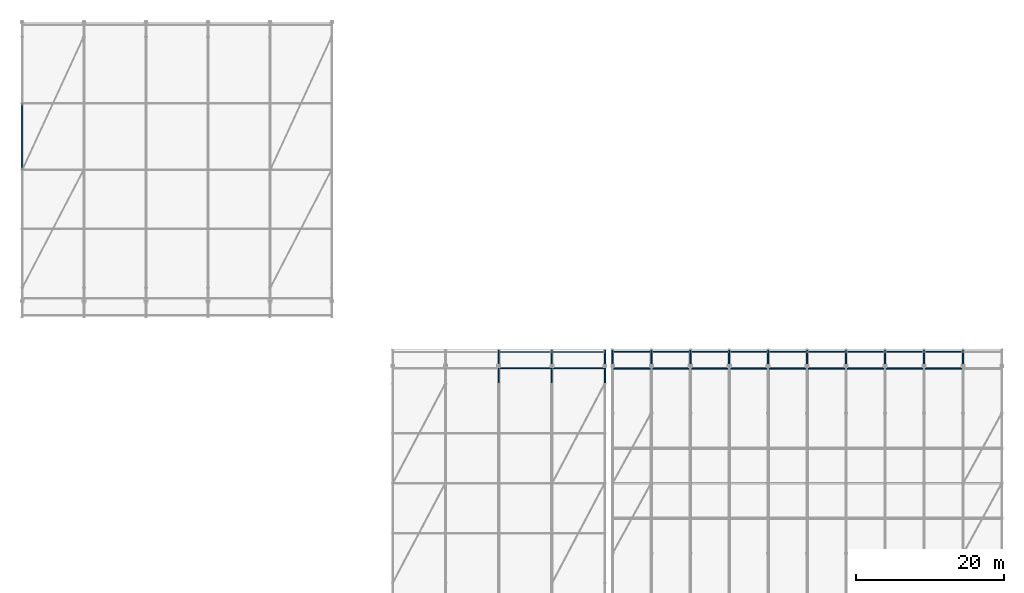
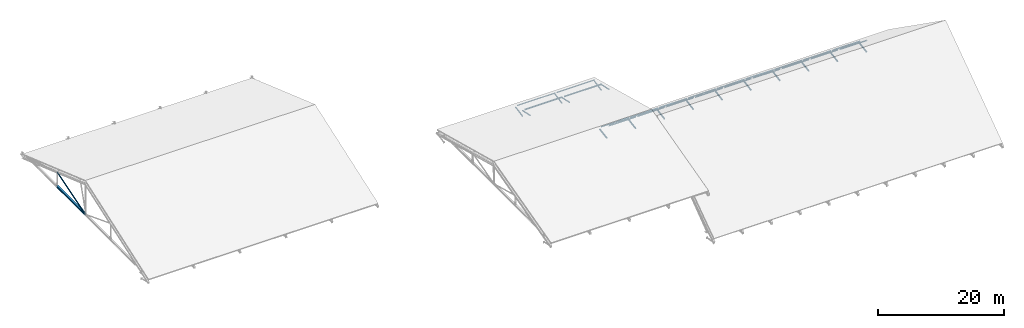
# One storey, part 14 of 57: 40 members.
"""IFC4 building model written with IfcOpenShell, lengths in metres."""

from ifc_helpers import new_model, si_unit, direction, frame, origin, origin_2d, place, context, subcontext, project, spatial, hollow_rectangle, hollow_circle, i_section, extrude, material, material_profile, profile_set, type_object, element, save


model = new_model("IFC4")

# Units and contexts
model_context = context("Model", 3, precision=1e-05, world=origin(), true_north=direction((0.0, 1.0)))
body_context = subcontext(model_context, "Body", "Model", "MODEL_VIEW")
ifc_project = project(units=[si_unit("LENGTHUNIT", "METRE"), si_unit("AREAUNIT", "SQUARE_METRE"), si_unit("VOLUMEUNIT", "CUBIC_METRE"), si_unit("PLANEANGLEUNIT", "RADIAN"), si_unit("MASSUNIT", "GRAM", prefix="KILO")], contexts=[model_context])

# Site, building, storey
site_placement = place(None, origin())
site = spatial("IfcSite", under=ifc_project, at=site_placement, CompositionType="ELEMENT")
building_placement = place(site_placement, origin())
building = spatial("IfcBuilding", under=site, at=building_placement, Name="Kelarvand Opera House", CompositionType="ELEMENT")
storey_placement = place(building_placement, frame((0.0, 0.0, 33.60009765625)))
storey = spatial("IfcBuildingStorey", under=building, at=storey_placement, Name="Roof", CompositionType="ELEMENT", Elevation=33.60009765625)

# Members
ifc_material = material(Name="Steel S355", Category="steel")
ifc_material_profile_1 = material_profile(ifc_material, hollow_circle(Radius=0.109619140625, WallThickness=0.010009765625, at=origin_2d()), Name="CHS 219.1x10.0", Category="steel")
ifc_profile_set_1 = profile_set([ifc_material_profile_1], Name="Steel S355")
member_type_1 = type_object("IfcMemberType", Name="Structural Brace CHS 219.1x10.0 BR-CHS219", PredefinedType="BRACE", material=ifc_profile_set_1)
member_1_placement = place(storey_placement, frame((73.60009765625, 78.39990234375, -1.10009765625), z_axis=(0.0, 0.981866297583, 0.189574717909), x_axis=(-1.0, 0.0, 0.0)))
element("IfcMember", 1, at=member_1_placement, inside=storey, type_object=member_type_1, Name="V2 Roof Truss 3 Eave Knee Brace N", PredefinedType="BRACE", context=body_context, shape_type="SweptSolid", body=[
    extrude(hollow_circle(Radius=0.109619140625, WallThickness=0.010009765625, at=origin_2d()), origin(), (0.0, 0.0, 1.0), 2.24072265625),
])
member_2_placement = place(storey_placement, frame((73.60009765625, 78.39990234375, 0.0), z_axis=(0.0, -0.977319710639, 0.21176917433), x_axis=(1.0, 0.0, 0.0)))
element("IfcMember", 2, at=member_2_placement, inside=storey, type_object=member_type_1, Name="V2 Roof Truss 3 Support Tie N", PredefinedType="BRACE", context=body_context, shape_type="SweptSolid", body=[
    extrude(hollow_circle(Radius=0.109619140625, WallThickness=0.010009765625, at=origin_2d()), origin(), (0.0, 0.0, 1.0), 2.45556640625),
])
member_3_placement = place(storey_placement, frame((80.800048828125, 78.39990234375, -1.10009765625), z_axis=(0.0, 0.981866297583, 0.189574717909), x_axis=(-1.0, 0.0, 0.0)))
element("IfcMember", 3, at=member_3_placement, inside=storey, type_object=member_type_1, Name="V2 Roof Truss 4 Eave Knee Brace N", PredefinedType="BRACE", context=body_context, shape_type="SweptSolid", body=[
    extrude(hollow_circle(Radius=0.109619140625, WallThickness=0.010009765625, at=origin_2d()), origin(), (0.0, 0.0, 1.0), 2.24072265625),
])
member_4_placement = place(storey_placement, frame((80.800048828125, 78.39990234375, 0.0), z_axis=(0.0, -0.977319710639, 0.21176917433), x_axis=(1.0, 0.0, 0.0)))
element("IfcMember", 4, at=member_4_placement, inside=storey, type_object=member_type_1, Name="V2 Roof Truss 4 Support Tie N", PredefinedType="BRACE", context=body_context, shape_type="SweptSolid", body=[
    extrude(hollow_circle(Radius=0.109619140625, WallThickness=0.010009765625, at=origin_2d()), origin(), (0.0, 0.0, 1.0), 2.45556640625),
])
member_5_placement = place(storey_placement, frame((88.0, 78.39990234375, -1.10009765625), z_axis=(0.0, 0.981866297583, 0.189574717909), x_axis=(-1.0, 0.0, 0.0)))
element("IfcMember", 5, at=member_5_placement, inside=storey, type_object=member_type_1, Name="V2 Roof Truss 5 Eave Knee Brace N", PredefinedType="BRACE", context=body_context, shape_type="SweptSolid", body=[
    extrude(hollow_circle(Radius=0.109619140625, WallThickness=0.010009765625, at=origin_2d()), origin(), (0.0, 0.0, 1.0), 2.24072265625),
])
member_6_placement = place(storey_placement, frame((88.0, 78.39990234375, 0.0), z_axis=(0.0, -0.977319710639, 0.21176917433), x_axis=(1.0, 0.0, 0.0)))
element("IfcMember", 6, at=member_6_placement, inside=storey, type_object=member_type_1, Name="V2 Roof Truss 5 Support Tie N", PredefinedType="BRACE", context=body_context, shape_type="SweptSolid", body=[
    extrude(hollow_circle(Radius=0.109619140625, WallThickness=0.010009765625, at=origin_2d()), origin(), (0.0, 0.0, 1.0), 2.45556640625),
])
member_7_placement = place(storey_placement, frame((9.0, 105.0, -13.580078125), z_axis=(0.0, 0.957023749403, 0.290009556874), x_axis=(-1.0, 0.0, 0.0)))
element("IfcMember", 7, at=member_7_placement, inside=storey, type_object=member_type_1, Name="V3 Roof Truss 1 Web Diagonal 3", PredefinedType="BRACE", context=body_context, shape_type="SweptSolid", body=[
    extrude(hollow_circle(Radius=0.109619140625, WallThickness=0.010009765625, at=origin_2d()), origin(), (0.0, 0.0, 1.0), 9.404052734375),
])
ifc_material_profile_2 = material_profile(ifc_material, hollow_circle(Radius=0.136474609375, WallThickness=0.012451171875, at=origin_2d()), Name="CHS 273.0x12.5", Category="steel")
ifc_profile_set_2 = profile_set([ifc_material_profile_2], Name="Steel S355")
member_type_2 = type_object("IfcMemberType", Name="Structural Brace CHS 273.0x12.5 BR-CHS273", PredefinedType="BRACE", material=ifc_profile_set_2)
for number, where, z_axis, x_axis, name in (
    (8, (89.0, 78.39990234375, -10.7001953125), (0.0, 0.986305042144, 0.164931391313), (-1.0, 0.0, 0.0), "V1 Roof Truss 1 Eave Knee Brace N"),
    (9, (94.280029296875, 78.39990234375, -10.7001953125), (0.0, 0.986305042144, 0.164931391313), (-1.0, 0.0, 0.0), "V1 Roof Truss 2 Eave Knee Brace N"),
    (10, (99.56005859375, 78.39990234375, -10.7001953125), (0.0, 0.986305042144, 0.164931391313), (-1.0, 0.0, 0.0), "V1 Roof Truss 3 Eave Knee Brace N"),
    (11, (104.840087890625, 78.39990234375, -10.7001953125), (0.0, 0.986305042144, 0.164931391313), (-1.0, 0.0, 0.0), "V1 Roof Truss 4 Eave Knee Brace N"),
    (12, (110.1201171875, 78.39990234375, -10.7001953125), (0.0, 0.986305042144, 0.164931391313), (-1.0, 0.0, 0.0), "V1 Roof Truss 5 Eave Knee Brace N"),
    (13, (115.39990234375, 78.39990234375, -10.7001953125), (0.0, 0.986305042144, 0.164931391313), (-1.0, 0.0, 0.0), "V1 Roof Truss 6 Eave Knee Brace N"),
    (14, (120.679931640625, 78.39990234375, -10.7001953125), (0.0, 0.986305042144, 0.164931391313), (-1.0, 0.0, 0.0), "V1 Roof Truss 7 Eave Knee Brace N"),
    (15, (125.9599609375, 78.39990234375, -10.7001953125), (0.0, 0.986305042144, 0.164931391313), (-1.0, 0.0, 0.0), "V1 Roof Truss 8 Eave Knee Brace N"),
    (16, (131.239990234375, 78.39990234375, -10.7001953125), (0.0, 0.986305042144, 0.164931391313), (-1.0, 0.0, 0.0), "V1 Roof Truss 9 Eave Knee Brace N"),
    (17, (136.52001953125, 78.39990234375, -10.7001953125), (0.0, 0.986305042144, 0.164931391313), (-1.0, 0.0, 0.0), "V1 Roof Truss 10 Eave Knee Brace N"),
):
    element("IfcMember", number, at=place(storey_placement, frame(where, z_axis=z_axis, x_axis=x_axis)), inside=storey, type_object=member_type_2, Name=name, PredefinedType="BRACE", context=body_context, shape_type="SweptSolid", body=[
        extrude(hollow_circle(Radius=0.136474609375, WallThickness=0.012451171875, at=origin_2d()), origin(), (0.0, 0.0, 1.0), 2.230712890625),
    ])
ifc_material_profile_3 = material_profile(ifc_material, i_section(OverallWidth=0.300048828125, OverallDepth=0.360107421875, WebThickness=0.012451171875, FlangeThickness=0.0224609375, at=origin_2d()), Name="HEB 360", Category="steel")
ifc_profile_set_3 = profile_set([ifc_material_profile_3], Name="Steel S355")
member_type_3 = type_object("IfcMemberType", Name="Structural Chord HEB 360 CH-HEB360", PredefinedType="CHORD", material=ifc_profile_set_3)
member_8_placement = place(storey_placement, frame((9.0, 105.0, -13.580078125), z_axis=(0.0, 1.0, 0.0), x_axis=(-1.0, 0.0, 0.0)))
element("IfcMember", 18, at=member_8_placement, inside=storey, type_object=member_type_3, Name="V3 Roof Truss 1 Bottom Chord 3", PredefinedType="CHORD", context=body_context, shape_type="SweptSolid", body=[
    extrude(i_section(OverallWidth=0.300048828125, OverallDepth=0.360107421875, WebThickness=0.012451171875, FlangeThickness=0.0224609375, at=origin_2d()), origin(), (0.0, 0.0, 1.0), 9.0),
])
ifc_material_profile_4 = material_profile(ifc_material, i_section(OverallWidth=0.135009765625, OverallDepth=0.27001953125, WebThickness=0.006591796875, FlangeThickness=0.01025390625, at=origin_2d()), Name="IPE 270", Category="steel")
ifc_profile_set_4 = profile_set([ifc_material_profile_4], Name="Steel S355")
member_type_4 = type_object("IfcMemberType", Name="Structural Purlin IPE 270 PR-IPE270", PredefinedType="PURLIN", material=ifc_profile_set_4)
member_9_placement = place(storey_placement, frame((73.739990234375, 78.050048828125, 0.339111328125), z_axis=(1.0, 0.0, 0.0), x_axis=(0.0, 0.966600102017, 0.256289373133)))
element("IfcMember", 19, at=member_9_placement, inside=storey, type_object=member_type_4, Name="V2 Roof Purlin 3.6", PredefinedType="PURLIN", context=body_context, shape_type="SweptSolid", body=[
    extrude(i_section(OverallWidth=0.135009765625, OverallDepth=0.27001953125, WebThickness=0.006591796875, FlangeThickness=0.01025390625, at=origin_2d()), origin(), (0.0, 0.0, 1.0), 6.919921875),
])
member_10_placement = place(storey_placement, frame((80.93994140625, 78.050048828125, 0.339111328125), z_axis=(1.0, 0.0, 0.0), x_axis=(0.0, 0.966600102017, 0.256289373133)))
element("IfcMember", 20, at=member_10_placement, inside=storey, type_object=member_type_4, Name="V2 Roof Purlin 4.6", PredefinedType="PURLIN", context=body_context, shape_type="SweptSolid", body=[
    extrude(i_section(OverallWidth=0.135009765625, OverallDepth=0.27001953125, WebThickness=0.006591796875, FlangeThickness=0.01025390625, at=origin_2d()), origin(), (0.0, 0.0, 1.0), 6.920166015625),
])
ifc_material_profile_5 = material_profile(ifc_material, i_section(OverallWidth=0.14990234375, OverallDepth=0.300048828125, WebThickness=0.007080078125, FlangeThickness=0.0107421875, at=origin_2d()), Name="IPE 300", Category="steel")
ifc_profile_set_5 = profile_set([ifc_material_profile_5], Name="Steel S355")
member_type_5 = type_object("IfcMemberType", Name="Structural Purlin IPE 300 PR-IPE300", PredefinedType="PURLIN", material=ifc_profile_set_5)
for number, where, z_axis, x_axis, name in (
    (21, (89.139892578125, 78.050048828125, -8.18603515625), (1.0, 0.0, 0.0), (0.0, 0.816440043737, 0.577430216549), "V1 Roof Purlin 1.6"),
    (22, (94.419921875, 78.050048828125, -8.18603515625), (1.0, 0.0, 0.0), (0.0, 0.816440043737, 0.577430216549), "V1 Roof Purlin 2.6"),
    (23, (99.699951171875, 78.050048828125, -8.18603515625), (1.0, 0.0, 0.0), (0.0, 0.816440043737, 0.577430216549), "V1 Roof Purlin 3.6"),
    (24, (104.97998046875, 78.050048828125, -8.18603515625), (1.0, 0.0, 0.0), (0.0, 0.816440043737, 0.577430216549), "V1 Roof Purlin 4.6"),
    (25, (110.260009765625, 78.050048828125, -8.18603515625), (1.0, 0.0, 0.0), (0.0, 0.816440043737, 0.577430216549), "V1 Roof Purlin 5.6"),
    (26, (115.5400390625, 78.050048828125, -8.18603515625), (1.0, 0.0, 0.0), (0.0, 0.816440043737, 0.577430216549), "V1 Roof Purlin 6.6"),
    (27, (120.820068359375, 78.050048828125, -8.18603515625), (1.0, 0.0, 0.0), (0.0, 0.816440043737, 0.577430216549), "V1 Roof Purlin 7.6"),
    (28, (126.10009765625, 78.050048828125, -8.18603515625), (1.0, 0.0, 0.0), (0.0, 0.816440043737, 0.577430216549), "V1 Roof Purlin 8.6"),
    (29, (131.3798828125, 78.050048828125, -8.18603515625), (1.0, 0.0, 0.0), (0.0, 0.816440043737, 0.577430216549), "V1 Roof Purlin 9.6"),
):
    element("IfcMember", number, at=place(storey_placement, frame(where, z_axis=z_axis, x_axis=x_axis)), inside=storey, type_object=member_type_5, Name=name, PredefinedType="PURLIN", context=body_context, shape_type="SweptSolid", body=[
        extrude(i_section(OverallWidth=0.14990234375, OverallDepth=0.300048828125, WebThickness=0.007080078125, FlangeThickness=0.0107421875, at=origin_2d()), origin(), (0.0, 0.0, 1.0), 5.0),
    ])
ifc_material_profile_6 = material_profile(ifc_material, hollow_rectangle(XDim=0.10009765625, YDim=0.199951171875, WallThickness=0.008056640625, at=origin_2d()), Name="RHS 200x100x8.0", Category="steel")
ifc_profile_set_6 = profile_set([ifc_material_profile_6], Name="Steel S355")
member_type_6 = type_object("IfcMemberType", Name="Structural Purlin RHS 200x100x8.0 PR-RHS200E", PredefinedType="PURLIN", material=ifc_profile_set_6)
for number, where, z_axis, x_axis, name in (
    (30, (89.139892578125, 80.300048828125, -9.721923828125), (1.0, 0.0, 0.0), (0.0, 0.816440043737, 0.577430216549), "V1 Roof Purlin 1.7"),
    (31, (94.419921875, 80.300048828125, -9.721923828125), (1.0, 0.0, 0.0), (0.0, 0.816440043737, 0.577430216549), "V1 Roof Purlin 2.7"),
    (32, (99.699951171875, 80.300048828125, -9.721923828125), (1.0, 0.0, 0.0), (0.0, 0.816440043737, 0.577430216549), "V1 Roof Purlin 3.7"),
    (33, (104.97998046875, 80.300048828125, -9.721923828125), (1.0, 0.0, 0.0), (0.0, 0.816440043737, 0.577430216549), "V1 Roof Purlin 4.7"),
    (34, (110.260009765625, 80.300048828125, -9.721923828125), (1.0, 0.0, 0.0), (0.0, 0.816440043737, 0.577430216549), "V1 Roof Purlin 5.7"),
    (35, (115.5400390625, 80.300048828125, -9.721923828125), (1.0, 0.0, 0.0), (0.0, 0.816440043737, 0.577430216549), "V1 Roof Purlin 6.7"),
    (36, (120.820068359375, 80.300048828125, -9.721923828125), (1.0, 0.0, 0.0), (0.0, 0.816440043737, 0.577430216549), "V1 Roof Purlin 7.7"),
    (37, (126.10009765625, 80.300048828125, -9.721923828125), (1.0, 0.0, 0.0), (0.0, 0.816440043737, 0.577430216549), "V1 Roof Purlin 8.7"),
    (38, (131.3798828125, 80.300048828125, -9.721923828125), (1.0, 0.0, 0.0), (0.0, 0.816440043737, 0.577430216549), "V1 Roof Purlin 9.7"),
):
    element("IfcMember", number, at=place(storey_placement, frame(where, z_axis=z_axis, x_axis=x_axis)), inside=storey, type_object=member_type_6, Name=name, PredefinedType="PURLIN", context=body_context, shape_type="SweptSolid", body=[
        extrude(hollow_rectangle(XDim=0.10009765625, YDim=0.199951171875, WallThickness=0.008056640625, at=origin_2d()), origin(), (0.0, 0.0, 1.0), 5.0),
    ])
member_11_placement = place(storey_placement, frame((73.739990234375, 80.300048828125, -0.21923828125), z_axis=(1.0, 0.0, 0.0), x_axis=(0.0, 0.966600102017, 0.256289373133)))
element("IfcMember", 39, at=member_11_placement, inside=storey, type_object=member_type_6, Name="V2 Roof Purlin 3.7", PredefinedType="PURLIN", context=body_context, shape_type="SweptSolid", body=[
    extrude(hollow_rectangle(XDim=0.10009765625, YDim=0.199951171875, WallThickness=0.008056640625, at=origin_2d()), origin(), (0.0, 0.0, 1.0), 6.919921875),
])
member_12_placement = place(storey_placement, frame((80.93994140625, 80.300048828125, -0.21923828125), z_axis=(1.0, 0.0, 0.0), x_axis=(0.0, 0.966600102017, 0.256289373133)))
element("IfcMember", 40, at=member_12_placement, inside=storey, type_object=member_type_6, Name="V2 Roof Purlin 4.7", PredefinedType="PURLIN", context=body_context, shape_type="SweptSolid", body=[
    extrude(hollow_rectangle(XDim=0.10009765625, YDim=0.199951171875, WallThickness=0.008056640625, at=origin_2d()), origin(), (0.0, 0.0, 1.0), 6.920166015625),
])

save(model, "model.ifc")
